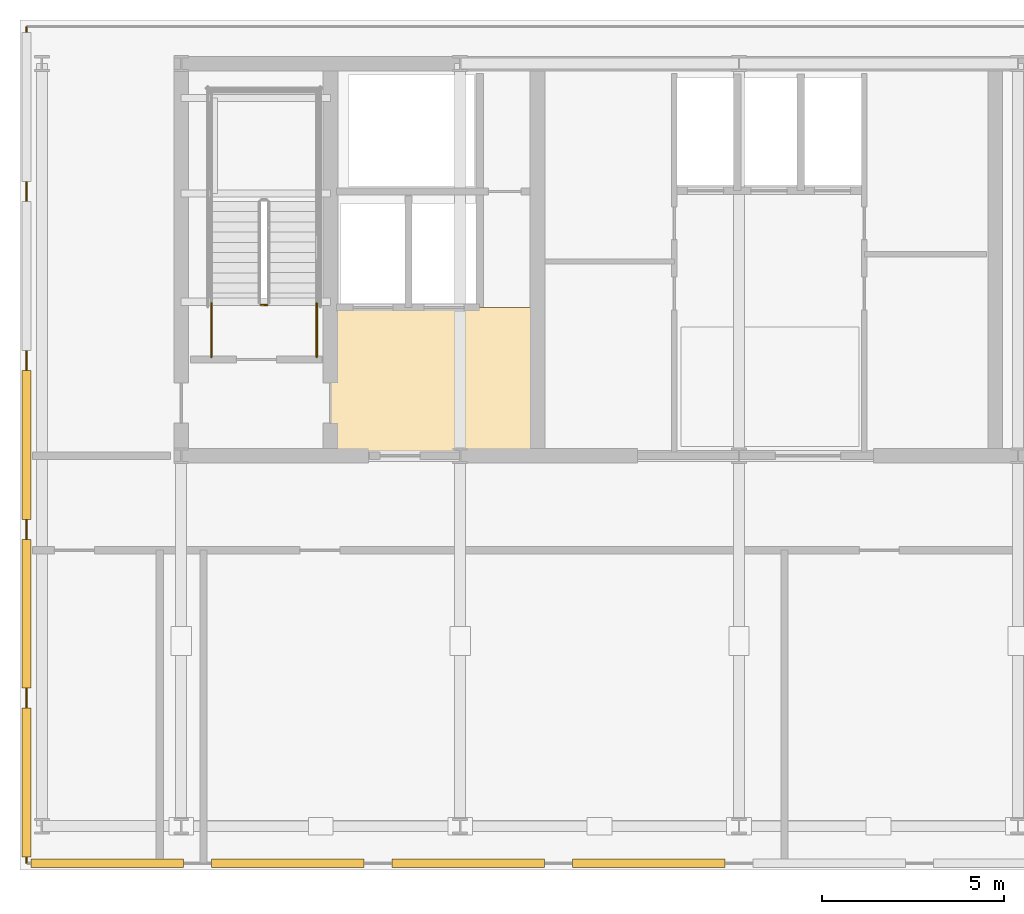
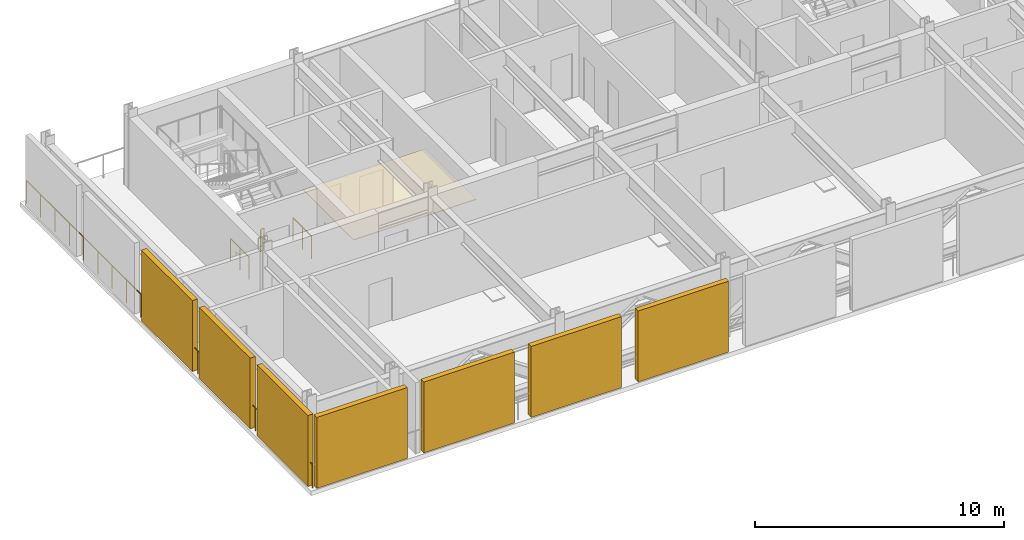
# One storey, part 4 of 8: 7 shading devices, 4 railings, 1 covering.
"""IFC4 building model written with IfcOpenShell, lengths in metres."""

from ifc_helpers import new_model, si_unit, direction, frame, origin, origin_2d, place, context, subcontext, project, spatial, polyline, rectangle, circle, outline, extrude, material, layer, layer_set, type_object, element, save


model = new_model("IFC4")

# Units and contexts
model_context = context("Model", 3, precision=1e-05, world=origin(), true_north=direction((0.0, 1.0)))
body_context = subcontext(model_context, "Body", "Model", "MODEL_VIEW")
ifc_project = project(units=[si_unit("LENGTHUNIT", "METRE"), si_unit("AREAUNIT", "SQUARE_METRE"), si_unit("VOLUMEUNIT", "CUBIC_METRE"), si_unit("PLANEANGLEUNIT", "RADIAN"), si_unit("MASSUNIT", "GRAM", prefix="KILO")], contexts=[model_context])

# Site, building, storey
site_placement = place(None, origin())
site = spatial("IfcSite", under=ifc_project, at=site_placement, CompositionType="ELEMENT")
building_placement = place(site_placement, origin())
building = spatial("IfcBuilding", under=site, at=building_placement, Name="Yelkora Congress Tower", CompositionType="ELEMENT")
storey_placement = place(building_placement, frame((0.0, 0.0, 251.300048828125)))
storey = spatial("IfcBuildingStorey", under=building, at=storey_placement, Name="L70", CompositionType="ELEMENT", Elevation=251.300048828125)

# Covering
ifc_material_1 = material(Name="Perforated mineral-fibre acoustic ceiling", Category="gypsum")
ifc_layer_1 = layer(ifc_material_1, 0.0400390625)
ifc_layer_set_1 = layer_set([ifc_layer_1], Name="Perforated mineral-fibre acoustic ceiling")
covering_type = type_object("IfcCoveringType", Name="COV-CEIL-ACOUSTIC-40", PredefinedType="CEILING", material=ifc_layer_set_1)
covering_placement = place(storey_placement, frame((0.0, 0.0, 2.39990234375)))
element("IfcCovering", 1, at=covering_placement, inside=storey, type_object=covering_type, Name="L70 Firefighting Lobby Acoustic Ceiling", PredefinedType="CEILING", context=body_context, shape_type="SweptSolid", body=[
    extrude(outline(polyline([(27.14990234375, 35.39990234375), (32.85009765625, 35.39990234375), (32.85009765625, 39.47998046875), (27.14990234375, 39.47998046875), (27.14990234375, 35.39990234375)])), origin(), (0.0, 0.0, 1.0), 0.0400390625),
])

# Railings
ifc_material_2 = material(Name="Stainless steel 316L and laminated glass infill", Category="steel")
ifc_layer_2 = layer(ifc_material_2, 0.080078125)
ifc_layer_set_2 = layer_set([ifc_layer_2], Name="Stainless steel 316L and laminated glass infill")
railing_type_1 = type_object("IfcRailingType", Name="RAIL-EXT-GUARD-1150", PredefinedType="GUARDRAIL", material=ifc_layer_set_2)
railing_1_placement = place(storey_placement, frame((18.780029296875, 24.199951171875, 0.0)))
element("IfcRailing", 2, at=railing_1_placement, inside=storey, type_object=railing_type_1, Name="L70 Wind-Floor Perimeter Guardrail W", PredefinedType="GUARDRAIL", context=body_context, shape_type="SweptSolid", body=[
    extrude(circle(Radius=0.02392578125, at=origin_2d()), frame((0.0, 0.0, 1.1259765625), z_axis=(0.0, 1.0, 0.0), x_axis=(-1.0, 0.0, 0.0)), (0.0, 0.0, 1.0), 23.0),
    extrude(circle(Radius=0.02099609375, at=origin_2d()), origin(), (0.0, 0.0, 1.0), 1.101806640625),
    extrude(circle(Radius=0.02099609375, at=origin_2d()), frame((0.0, 1.14990234375, 0.0)), (0.0, 0.0, 1.0), 1.101806640625),
    extrude(circle(Radius=0.02099609375, at=origin_2d()), frame((0.0, 2.300048828125, 0.0)), (0.0, 0.0, 1.0), 1.101806640625),
    extrude(circle(Radius=0.02099609375, at=origin_2d()), frame((0.0, 3.449951171875, 0.0)), (0.0, 0.0, 1.0), 1.101806640625),
    extrude(circle(Radius=0.02099609375, at=origin_2d()), frame((0.0, 4.60009765625, 0.0)), (0.0, 0.0, 1.0), 1.101806640625),
    extrude(circle(Radius=0.02099609375, at=origin_2d()), frame((0.0, 5.75, 0.0)), (0.0, 0.0, 1.0), 1.101806640625),
    extrude(circle(Radius=0.02099609375, at=origin_2d()), frame((0.0, 6.89990234375, 0.0)), (0.0, 0.0, 1.0), 1.101806640625),
    extrude(circle(Radius=0.02099609375, at=origin_2d()), frame((0.0, 8.050048828125, 0.0)), (0.0, 0.0, 1.0), 1.101806640625),
    extrude(circle(Radius=0.02099609375, at=origin_2d()), frame((0.0, 9.199951171875, 0.0)), (0.0, 0.0, 1.0), 1.101806640625),
    extrude(circle(Radius=0.02099609375, at=origin_2d()), frame((0.0, 10.35009765625, 0.0)), (0.0, 0.0, 1.0), 1.101806640625),
    extrude(circle(Radius=0.02099609375, at=origin_2d()), frame((0.0, 11.5, 0.0)), (0.0, 0.0, 1.0), 1.101806640625),
    extrude(circle(Radius=0.02099609375, at=origin_2d()), frame((0.0, 12.64990234375, 0.0)), (0.0, 0.0, 1.0), 1.101806640625),
    extrude(circle(Radius=0.02099609375, at=origin_2d()), frame((0.0, 13.800048828125, 0.0)), (0.0, 0.0, 1.0), 1.101806640625),
    extrude(circle(Radius=0.02099609375, at=origin_2d()), frame((0.0, 14.949951171875, 0.0)), (0.0, 0.0, 1.0), 1.101806640625),
    extrude(circle(Radius=0.02099609375, at=origin_2d()), frame((0.0, 16.10009765625, 0.0)), (0.0, 0.0, 1.0), 1.101806640625),
    extrude(circle(Radius=0.02099609375, at=origin_2d()), frame((0.0, 17.25, 0.0)), (0.0, 0.0, 1.0), 1.101806640625),
    extrude(circle(Radius=0.02099609375, at=origin_2d()), frame((0.0, 18.39990234375, 0.0)), (0.0, 0.0, 1.0), 1.101806640625),
    extrude(circle(Radius=0.02099609375, at=origin_2d()), frame((0.0, 19.550048828125, 0.0)), (0.0, 0.0, 1.0), 1.101806640625),
    extrude(circle(Radius=0.02099609375, at=origin_2d()), frame((0.0, 20.699951171875, 0.0)), (0.0, 0.0, 1.0), 1.101806640625),
    extrude(circle(Radius=0.02099609375, at=origin_2d()), frame((0.0, 21.85009765625, 0.0)), (0.0, 0.0, 1.0), 1.101806640625),
    extrude(circle(Radius=0.02099609375, at=origin_2d()), frame((0.0, 23.0, 0.0)), (0.0, 0.0, 1.0), 1.101806640625),
])
ifc_material_3 = material(Name="Painted galvanised steel stair well guard with vertical infill", Category="steel")
ifc_layer_3 = layer(ifc_material_3, 0.06005859375)
ifc_layer_set_3 = layer_set([ifc_layer_3], Name="Painted galvanised steel stair well guard with vertical infill")
railing_type_2 = type_object("IfcRailingType", Name="RAIL-STAIR-GUARD-1120", PredefinedType="GUARDRAIL", material=ifc_layer_set_3)
railing_2_placement = place(storey_placement, frame((25.39990234375, 39.550048828125, 0.0)))
element("IfcRailing", 3, at=railing_2_placement, inside=storey, type_object=railing_type_2, Name="ST-01 L70 Stair Well Guardrail 7", PredefinedType="GUARDRAIL", context=body_context, shape_type="SweptSolid", body=[
    extrude(circle(Radius=0.02392578125, at=origin_2d()), frame((0.0, 0.0, 1.09619140625), z_axis=(-1.0, 0.0, 0.0), x_axis=(0.0, -1.0, 0.0)), (0.0, 0.0, 1.0), 0.159912109375),
    extrude(circle(Radius=0.02099609375, at=origin_2d()), origin(), (0.0, 0.0, 1.0), 1.072021484375),
    extrude(circle(Radius=0.02099609375, at=origin_2d()), frame((-0.159912109375, 0.0, 0.0)), (0.0, 0.0, 1.0), 1.072021484375),
])
for number, where, name in (
    (4, (26.77001953125, 38.1201171875, 0.0), "ST-01 L70 Stair Well Guardrail 8"),
    (5, (23.8701171875, 38.1201171875, 0.0), "ST-01 L70 Stair Well Guardrail 9"),
):
    element("IfcRailing", number, at=place(storey_placement, frame(where)), inside=storey, type_object=railing_type_2, Name=name, PredefinedType="GUARDRAIL", context=body_context, shape_type="SweptSolid", body=[
        extrude(circle(Radius=0.02392578125, at=origin_2d()), frame((0.0, 0.0, 1.09619140625), z_axis=(0.0, 1.0, 0.0), x_axis=(-1.0, 0.0, 0.0)), (0.0, 0.0, 1.0), 1.47998046875),
        extrude(circle(Radius=0.02099609375, at=origin_2d()), origin(), (0.0, 0.0, 1.0), 1.072021484375),
        extrude(circle(Radius=0.02099609375, at=origin_2d()), frame((0.0, 0.739990234375, 0.0)), (0.0, 0.0, 1.0), 1.072021484375),
        extrude(circle(Radius=0.02099609375, at=origin_2d()), frame((0.0, 1.47998046875, 0.0)), (0.0, 0.0, 1.0), 1.072021484375),
    ])

# Shading devices
ifc_material_4 = material(Name="Perforated anodised aluminium louvre", Category="aluminium")
ifc_layer_4 = layer(ifc_material_4, 3.39990234375)
ifc_layer_set_4 = layer_set([ifc_layer_4], Name="Perforated anodised aluminium louvre")
shading_device_type = type_object("IfcShadingDeviceType", Name="SHD-LOUVRE-WIND", PredefinedType="JALOUSIE", material=ifc_layer_set_4)
for number, where, z_axis, x_axis, name in (
    (6, (18.780029296875, 26.39990234375, 0.0), (0.0, 0.0, 1.0), (1.0, 0.0, 0.0), "L70 Acoustic Wind-Floor Louvre Screen W1"),
    (7, (18.780029296875, 31.050048828125, 0.0), (0.0, 0.0, 1.0), (1.0, 0.0, 0.0), "L70 Acoustic Wind-Floor Louvre Screen W2"),
    (8, (18.780029296875, 35.699951171875, 0.0), (0.0, 0.0, 1.0), (1.0, 0.0, 0.0), "L70 Acoustic Wind-Floor Louvre Screen W3"),
):
    element("IfcShadingDevice", number, at=place(storey_placement, frame(where, z_axis=z_axis, x_axis=x_axis)), inside=storey, type_object=shading_device_type, Name=name, PredefinedType="JALOUSIE", context=body_context, shape_type="SweptSolid", body=[
        extrude(rectangle(XDim=0.239990234375, YDim=4.10009765625, at=origin_2d()), origin(), (0.0, 0.0, 1.0), 3.47998046875),
    ])
for number, where, z_axis, x_axis, name in (
    (9, (21.0, 24.179931640625, 0.0), (0.0, 0.0, 1.0), (1.0, 0.0, 0.0), "L70 South Blow-Through Wind Louvre 1"),
    (10, (25.971435546875, 24.179931640625, 0.0), (0.0, 0.0, 1.0), (1.0, 0.0, 0.0), "L70 South Blow-Through Wind Louvre 2"),
    (11, (30.94287109375, 24.179931640625, 0.0), (0.0, 0.0, 1.0), (1.0, 0.0, 0.0), "L70 South Blow-Through Wind Louvre 3"),
    (12, (35.914306640625, 24.179931640625, 0.0), (0.0, 0.0, 1.0), (1.0, 0.0, 0.0), "L70 South Blow-Through Wind Louvre 4"),
):
    element("IfcShadingDevice", number, at=place(storey_placement, frame(where, z_axis=z_axis, x_axis=x_axis)), inside=storey, type_object=shading_device_type, Name=name, PredefinedType="JALOUSIE", context=body_context, shape_type="SweptSolid", body=[
        extrude(rectangle(XDim=4.199951171875, YDim=0.239990234375, at=origin_2d()), origin(), (0.0, 0.0, 1.0), 3.47998046875),
    ])

save(model, "model.ifc")
